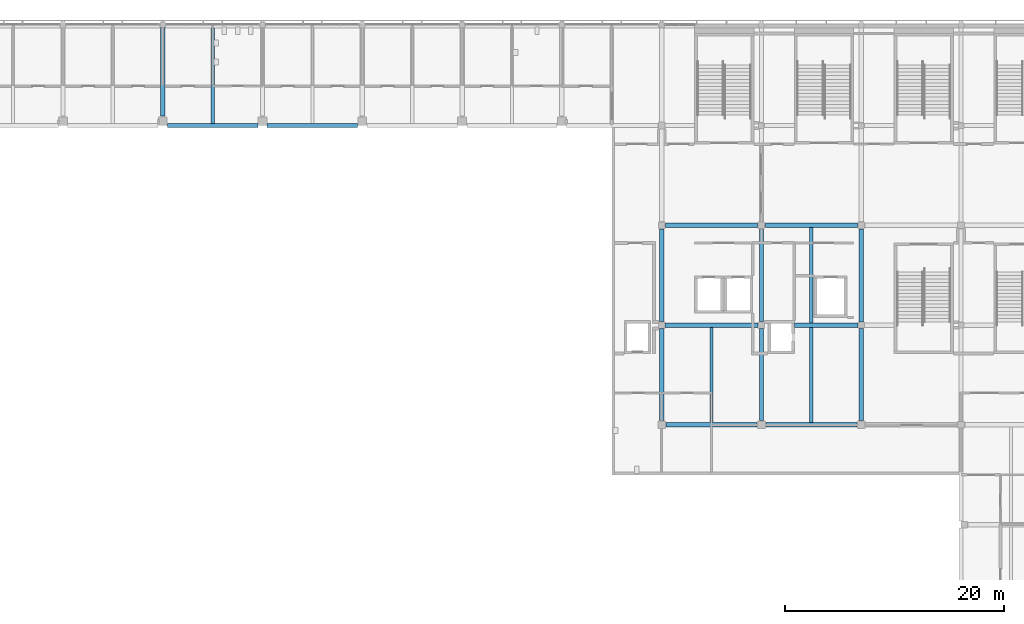
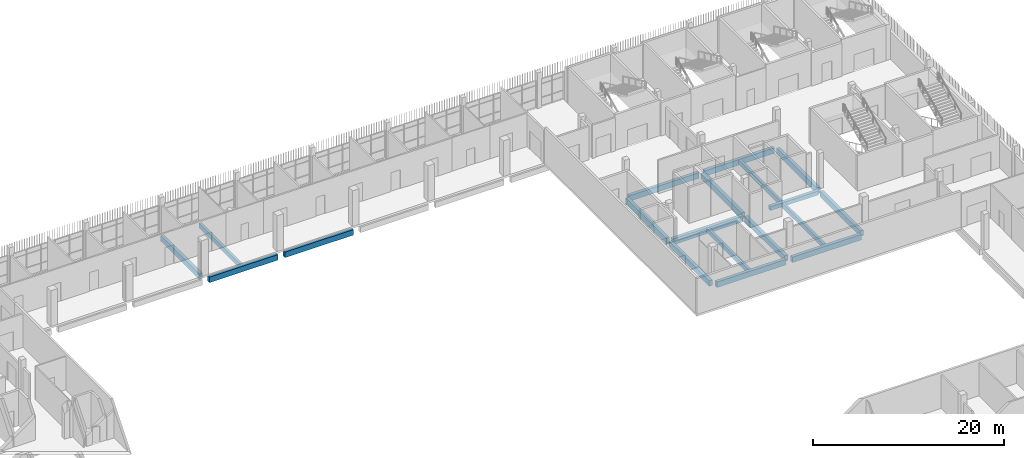
# One storey, part 38 of 124: 19 beams.
"""IFC4 building model written with IfcOpenShell, lengths in metres."""

from ifc_helpers import new_model, si_unit, direction, frame, origin, origin_2d, place, context, subcontext, project, spatial, rectangle, extrude, material, material_profile, profile_set, type_object, element, save


model = new_model("IFC4")

# Units and contexts
model_context = context("Model", 3, precision=1e-05, world=origin(), true_north=direction((0.0, 1.0)))
body_context = subcontext(model_context, "Body", "Model", "MODEL_VIEW")
ifc_project = project(units=[si_unit("LENGTHUNIT", "METRE"), si_unit("AREAUNIT", "SQUARE_METRE"), si_unit("VOLUMEUNIT", "CUBIC_METRE"), si_unit("PLANEANGLEUNIT", "RADIAN"), si_unit("MASSUNIT", "GRAM", prefix="KILO")], contexts=[model_context])

# Site, building, storey
site_placement = place(None, origin())
site = spatial("IfcSite", under=ifc_project, at=site_placement, CompositionType="ELEMENT")
building_placement = place(site_placement, origin())
building = spatial("IfcBuilding", under=site, at=building_placement, Name="Shirokan Park Arena", CompositionType="ELEMENT")
storey_placement = place(building_placement, frame((0.0, 0.0, 20.02001953125)))
storey = spatial("IfcBuildingStorey", under=building, at=storey_placement, Name="L04", CompositionType="ELEMENT", Elevation=20.02001953125)

# Beams
ifc_material = material(Name="Concrete C35", Category="concrete")
ifc_material_profile_1 = material_profile(ifc_material, rectangle(XDim=0.39990234375, YDim=0.5, at=origin_2d()), Name="400x500")
ifc_profile_set_1 = profile_set([ifc_material_profile_1], Name="Concrete C35")
beam_type_1 = type_object("IfcBeamType", Name="RC girder 400x500", PredefinedType="BEAM", material=ifc_profile_set_1)
beam_1_placement = place(storey_placement, frame((121.300048828125, 81.89990234375, -0.5), z_axis=(1.0, 0.0, 0.0), x_axis=(0.0, 1.0, 0.0)))
element("IfcBeam", 1, at=beam_1_placement, inside=storey, type_object=beam_type_1, Name="Girder 14K-15K L04", PredefinedType="BEAM", context=body_context, shape_type="SweptSolid", body=[
    extrude(rectangle(XDim=0.39990234375, YDim=0.5, at=origin_2d()), origin(), (0.0, 0.0, 1.0), 5.7998046875),
])
ifc_material_profile_2 = material_profile(ifc_material, rectangle(XDim=0.39990234375, YDim=0.699951171875, at=origin_2d()), Name="400x700")
ifc_profile_set_2 = profile_set([ifc_material_profile_2], Name="Concrete C35")
beam_type_2 = type_object("IfcBeamType", Name="RC girder 400x700", PredefinedType="BEAM", material=ifc_profile_set_2)
beam_2_placement = place(storey_placement, frame((64.125, 100.10009765625, -0.60009765625), z_axis=(1.0, 0.0, 0.0), x_axis=(0.0, 1.0, 0.0)))
element("IfcBeam", 2, at=beam_2_placement, inside=storey, type_object=beam_type_2, Name="Girder 8M-9M L04", PredefinedType="BEAM", context=body_context, shape_type="SweptSolid", body=[
    extrude(rectangle(XDim=0.39990234375, YDim=0.699951171875, at=origin_2d()), origin(), (0.0, 0.0, 1.0), 8.25),
])
beam_3_placement = place(storey_placement, frame((73.22509765625, 100.10009765625, -0.60009765625), z_axis=(1.0, 0.0, 0.0), x_axis=(0.0, 1.0, 0.0)))
element("IfcBeam", 3, at=beam_3_placement, inside=storey, type_object=beam_type_2, Name="Girder 9M-10M L04", PredefinedType="BEAM", context=body_context, shape_type="SweptSolid", body=[
    extrude(rectangle(XDim=0.39990234375, YDim=0.699951171875, at=origin_2d()), origin(), (0.0, 0.0, 1.0), 8.249755859375),
])
beam_4_placement = place(storey_placement, frame((109.60009765625, 72.800048828125, -0.60009765625), z_axis=(1.0, 0.0, 0.0), x_axis=(0.0, 1.0, 0.0)))
element("IfcBeam", 4, at=beam_4_placement, inside=storey, type_object=beam_type_2, Name="Girder 13J-14J L04", PredefinedType="BEAM", context=body_context, shape_type="SweptSolid", body=[
    extrude(rectangle(XDim=0.39990234375, YDim=0.699951171875, at=origin_2d()), origin(), (0.0, 0.0, 1.0), 8.2998046875),
])
beam_5_placement = place(storey_placement, frame((109.550048828125, 91.0, -0.60009765625), z_axis=(1.0, 0.0, 0.0), x_axis=(0.0, 1.0, 0.0)))
element("IfcBeam", 5, at=beam_5_placement, inside=storey, type_object=beam_type_2, Name="Girder 13L-14L L04", PredefinedType="BEAM", context=body_context, shape_type="SweptSolid", body=[
    extrude(rectangle(XDim=0.39990234375, YDim=0.699951171875, at=origin_2d()), origin(), (0.0, 0.0, 1.0), 8.39990234375),
])
beam_6_placement = place(storey_placement, frame((118.7001953125, 72.800048828125, -0.60009765625), z_axis=(1.0, 0.0, 0.0), x_axis=(0.0, 1.0, 0.0)))
element("IfcBeam", 6, at=beam_6_placement, inside=storey, type_object=beam_type_2, Name="Girder 14J-15J L04", PredefinedType="BEAM", context=body_context, shape_type="SweptSolid", body=[
    extrude(rectangle(XDim=0.39990234375, YDim=0.699951171875, at=origin_2d()), origin(), (0.0, 0.0, 1.0), 8.2998046875),
])
beam_7_placement = place(storey_placement, frame((118.650146484375, 91.0, -0.60009765625), z_axis=(1.0, 0.0, 0.0), x_axis=(0.0, 1.0, 0.0)))
element("IfcBeam", 7, at=beam_7_placement, inside=storey, type_object=beam_type_2, Name="Girder 14L-15L L04", PredefinedType="BEAM", context=body_context, shape_type="SweptSolid", body=[
    extrude(rectangle(XDim=0.39990234375, YDim=0.699951171875, at=origin_2d()), origin(), (0.0, 0.0, 1.0), 8.399658203125),
])
beam_8_placement = place(storey_placement, frame((63.699951171875, 100.9501953125, -0.60009765625), z_axis=(0.0, 1.0, 0.0), x_axis=(-1.0, 0.0, 0.0)))
element("IfcBeam", 8, at=beam_8_placement, inside=storey, type_object=beam_type_2, Name="Girder 8M-8N L04", PredefinedType="BEAM", context=body_context, shape_type="SweptSolid", body=[
    extrude(rectangle(XDim=0.39990234375, YDim=0.699951171875, at=origin_2d()), origin(), (0.0, 0.0, 1.0), 8.07470703125),
])
for number, where, z_axis, x_axis, name in (
    (9, (109.199951171875, 73.2001953125, -0.60009765625), (0.0, 1.0, 0.0), (-1.0, 0.0, 0.0), "Girder 13J-13K L04"),
    (10, (118.300048828125, 73.2001953125, -0.60009765625), (0.0, 1.0, 0.0), (-1.0, 0.0, 0.0), "Girder 14J-14K L04"),
):
    element("IfcBeam", number, at=place(storey_placement, frame(where, z_axis=z_axis, x_axis=x_axis)), inside=storey, type_object=beam_type_2, Name=name, PredefinedType="BEAM", context=body_context, shape_type="SweptSolid", body=[
        extrude(rectangle(XDim=0.39990234375, YDim=0.699951171875, at=origin_2d()), origin(), (0.0, 0.0, 1.0), 8.374755859375),
    ])
beam_9_placement = place(storey_placement, frame((127.39990234375, 73.2001953125, -0.60009765625), z_axis=(0.0, 1.0, 0.0), x_axis=(-1.0, 0.0, 0.0)))
element("IfcBeam", 11, at=beam_9_placement, inside=storey, type_object=beam_type_2, Name="Girder 15J-15K L04", PredefinedType="BEAM", context=body_context, shape_type="SweptSolid", body=[
    extrude(rectangle(XDim=0.39990234375, YDim=0.699951171875, at=origin_2d()), origin(), (0.0, 0.0, 1.0), 8.399658203125),
])
ifc_material_profile_3 = material_profile(ifc_material, rectangle(XDim=0.39990234375, YDim=0.75, at=origin_2d()), Name="400x750")
ifc_profile_set_3 = profile_set([ifc_material_profile_3], Name="Concrete C35")
beam_type_3 = type_object("IfcBeamType", Name="RC girder 400x750", PredefinedType="BEAM", material=ifc_profile_set_3)
beam_10_placement = place(storey_placement, frame((109.525146484375, 81.89990234375, -0.625), z_axis=(1.0, 0.0, 0.0), x_axis=(0.0, 1.0, 0.0)))
element("IfcBeam", 12, at=beam_10_placement, inside=storey, type_object=beam_type_3, Name="Girder 13K-14K L04", PredefinedType="BEAM", context=body_context, shape_type="SweptSolid", body=[
    extrude(rectangle(XDim=0.39990234375, YDim=0.75, at=origin_2d()), origin(), (0.0, 0.0, 1.0), 8.44970703125),
])
for number, where, z_axis, x_axis, name in (
    (13, (109.199951171875, 82.22509765625, -0.625), (0.0, 1.0, 0.0), (-1.0, 0.0, 0.0), "Girder 13K-13L L04"),
    (14, (118.300048828125, 82.22509765625, -0.625), (0.0, 1.0, 0.0), (-1.0, 0.0, 0.0), "Girder 14K-14L L04"),
):
    element("IfcBeam", number, at=place(storey_placement, frame(where, z_axis=z_axis, x_axis=x_axis)), inside=storey, type_object=beam_type_3, Name=name, PredefinedType="BEAM", context=body_context, shape_type="SweptSolid", body=[
        extrude(rectangle(XDim=0.39990234375, YDim=0.75, at=origin_2d()), origin(), (0.0, 0.0, 1.0), 8.4248046875),
    ])
beam_11_placement = place(storey_placement, frame((127.39990234375, 82.2001953125, -0.625), z_axis=(0.0, 1.0, 0.0), x_axis=(-1.0, 0.0, 0.0)))
element("IfcBeam", 15, at=beam_11_placement, inside=storey, type_object=beam_type_3, Name="Girder 15K-15L L04", PredefinedType="BEAM", context=body_context, shape_type="SweptSolid", body=[
    extrude(rectangle(XDim=0.39990234375, YDim=0.75, at=origin_2d()), origin(), (0.0, 0.0, 1.0), 8.44970703125),
])
ifc_material_profile_4 = material_profile(ifc_material, rectangle(XDim=0.300048828125, YDim=0.60009765625, at=origin_2d()), Name="300x600")
ifc_profile_set_4 = profile_set([ifc_material_profile_4], Name="Concrete C35")
beam_type_4 = type_object("IfcBeamType", Name="RC joist 300x600", PredefinedType="JOIST", material=ifc_profile_set_4)
beam_12_placement = place(storey_placement, frame((68.25, 100.300048828125, -0.550048828125), z_axis=(0.0, 1.0, 0.0), x_axis=(-1.0, 0.0, 0.0)))
element("IfcBeam", 16, at=beam_12_placement, inside=storey, type_object=beam_type_4, Name="Joist 8M L04", PredefinedType="JOIST", context=body_context, shape_type="SweptSolid", body=[
    extrude(rectangle(XDim=0.300048828125, YDim=0.60009765625, at=origin_2d()), origin(), (0.0, 0.0, 1.0), 8.675048828125),
])
for number, where, z_axis, x_axis, name in (
    (17, (113.75, 73.0, -0.550048828125), (0.0, 1.0, 0.0), (-1.0, 0.0, 0.0), "Joist 13J L04"),
    (18, (122.85009765625, 73.0, -0.550048828125), (0.0, 1.0, 0.0), (-1.0, 0.0, 0.0), "Joist 14J L04"),
    (19, (122.85009765625, 82.10009765625, -0.550048828125), (0.0, 1.0, 0.0), (-1.0, 0.0, 0.0), "Joist 14K L04"),
):
    element("IfcBeam", number, at=place(storey_placement, frame(where, z_axis=z_axis, x_axis=x_axis)), inside=storey, type_object=beam_type_4, Name=name, PredefinedType="JOIST", context=body_context, shape_type="SweptSolid", body=[
        extrude(rectangle(XDim=0.300048828125, YDim=0.60009765625, at=origin_2d()), origin(), (0.0, 0.0, 1.0), 8.699951171875),
    ])

save(model, "model.ifc")
